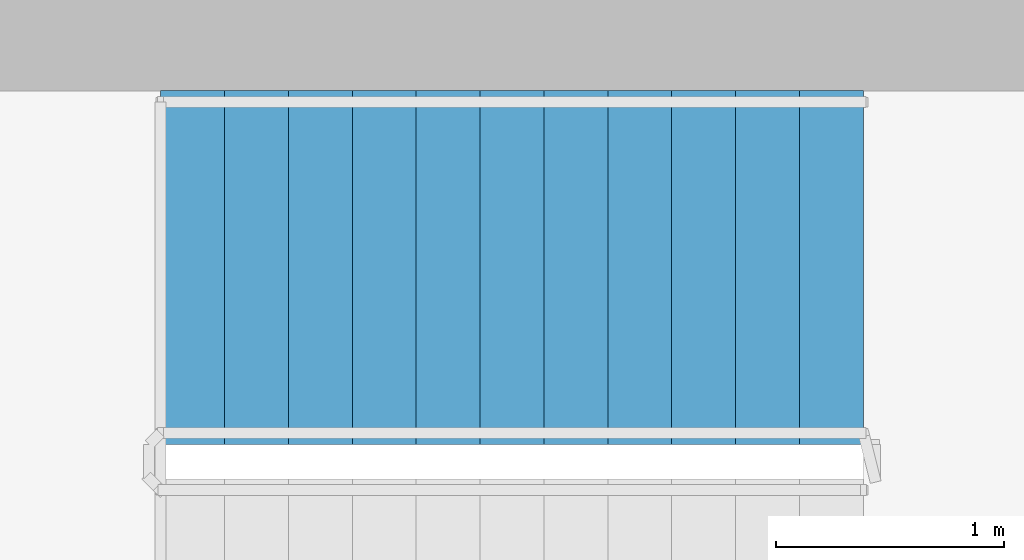
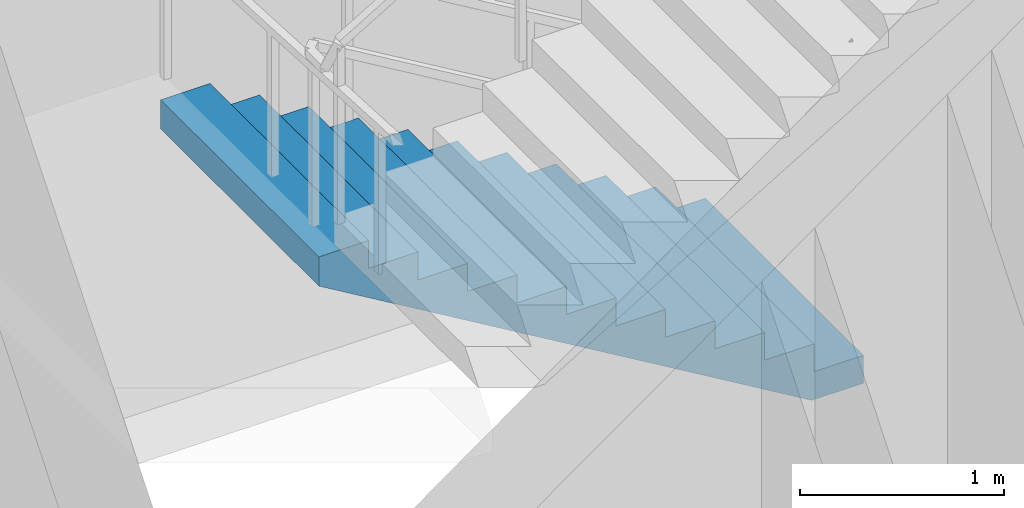
# One storey, part 8 of 17: 1 stair flight, 1 element without a shape of its own.
"""IFC4 building model written with IfcOpenShell, lengths in metres."""

from ifc_helpers import new_model, si_unit, direction, frame, origin, place, context, subcontext, project, spatial, polyline, outline, extrude, material, type_object, element, aggregate, save


model = new_model("IFC4")

# Units and contexts
model_context = context("Model", 3, precision=1e-05, world=origin(), true_north=direction((0.0, 1.0)))
body_context = subcontext(model_context, "Body", "Model", "MODEL_VIEW")
ifc_project = project(units=[si_unit("LENGTHUNIT", "METRE"), si_unit("AREAUNIT", "SQUARE_METRE"), si_unit("VOLUMEUNIT", "CUBIC_METRE"), si_unit("PLANEANGLEUNIT", "RADIAN"), si_unit("MASSUNIT", "GRAM", prefix="KILO")], contexts=[model_context])

# Site, building, storey
site_placement = place(None, origin())
site = spatial("IfcSite", under=ifc_project, at=site_placement, CompositionType="ELEMENT")
building_placement = place(site_placement, origin())
building = spatial("IfcBuilding", under=site, at=building_placement, Name="Noorbagh Ring Tower", CompositionType="ELEMENT")
storey_placement = place(building_placement, frame((0.0, 0.0, 112.0)))
storey = spatial("IfcBuildingStorey", under=building, at=storey_placement, Name="L25", CompositionType="ELEMENT", Elevation=112.0)

# Stair, stair flight
ifc_material_1 = material(Name="Concrete C40/50", Category="concrete")
stair_type = type_object("IfcStairType", Name="CORE-STAIR", PredefinedType="HALF_TURN_STAIR", material=ifc_material_1)
stair_placement = place(storey_placement, origin())
stair = element("IfcStair", 1, at=stair_placement, inside=storey, type_object=stair_type, Name="L25 Exit stair ST3", PredefinedType="HALF_TURN_STAIR")
ifc_material_2 = material(Name="Concrete C40/50", Category="concrete")
stair_flight_type = type_object("IfcStairFlightType", Name="CORE-STAIR-FLIGHT", PredefinedType="STRAIGHT", material=ifc_material_2)
stair_flight_placement = place(storey_placement, frame((21.530029296875, 7.22509765625, 0.0), z_axis=(0.0, 0.0, 1.0), x_axis=(-1.0, 0.0, 0.0)))
stair_flight = element("IfcStairFlight", 2, at=stair_flight_placement, type_object=stair_flight_type, Name="ST3 flight 1", NumberOfRisers=12, NumberOfTreads=11, PredefinedType="STRAIGHT", RiserHeight=0.166666667, TreadLength=0.28, context=body_context, shape_type="SweptSolid", body=[
    extrude(outline(polyline([(0.0, 0.0), (0.0, 0.166748046875), (0.280029296875, 0.166748046875), (0.280029296875, 0.333251953125), (0.56005859375, 0.333251953125), (0.56005859375, 0.5), (0.840087890625, 0.5), (0.840087890625, 0.666748046875), (1.1201171875, 0.666748046875), (1.1201171875, 0.833251953125), (1.39990234375, 0.833251953125), (1.39990234375, 1.0), (1.679931640625, 1.0), (1.679931640625, 1.166748046875), (1.9599609375, 1.166748046875), (1.9599609375, 1.333251953125), (2.239990234375, 1.333251953125), (2.239990234375, 1.5), (2.52001953125, 1.5), (2.52001953125, 1.666748046875), (2.800048828125, 1.666748046875), (2.800048828125, 1.833251953125), (3.080078125, 1.833251953125), (3.080078125, 2.0), (3.080078125, 1.658935546875), (0.29296875, 0.0), (0.0, 0.0)])), frame((0.0, 0.77490234375, 0.0), z_axis=(0.0, -1.0, 0.0), x_axis=(1.0, 0.0, 0.0)), (0.0, 0.0, 1.0), 1.550048828125),
])
aggregate(stair, [stair_flight])

save(model, "model.ifc")
